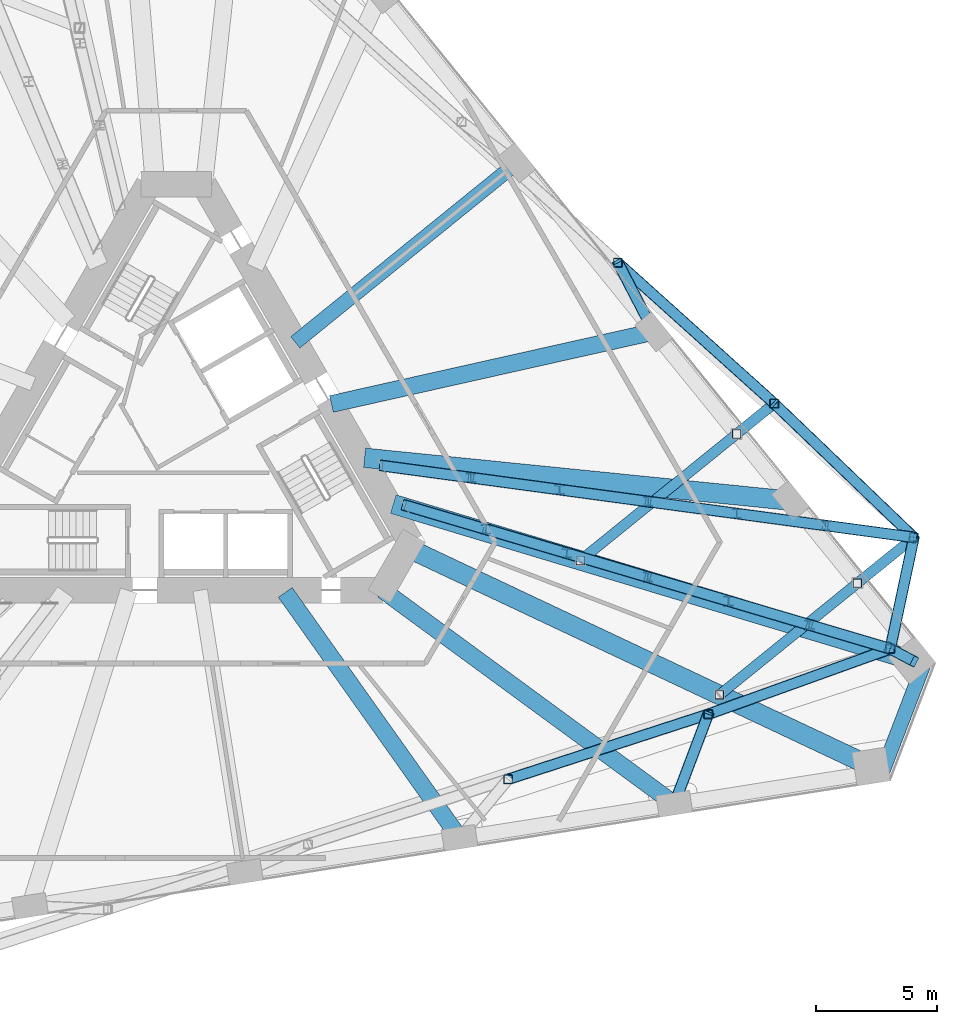
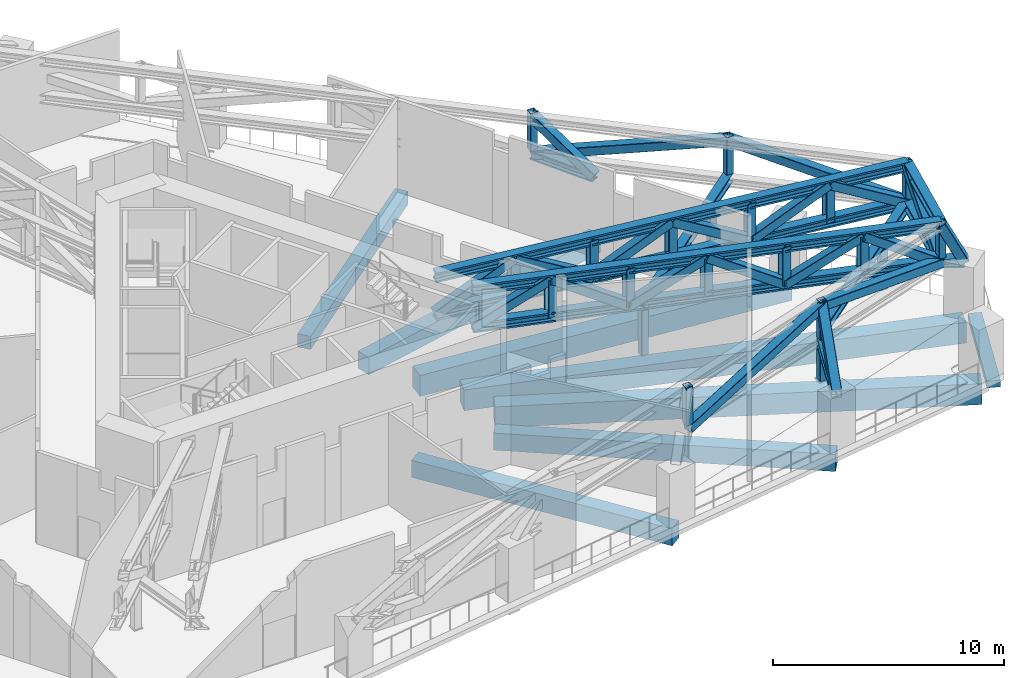
# One storey, part 6 of 20: 51 members, 8 beams.
"""IFC4 building model written with IfcOpenShell, lengths in metres."""

from ifc_helpers import new_model, si_unit, direction, frame, origin, origin_2d, place, context, subcontext, project, spatial, rectangle, hollow_rectangle, i_section, extrude, material, material_profile, profile_set, type_object, element, save


model = new_model("IFC4")

# Units and contexts
model_context = context("Model", 3, precision=1e-05, world=origin(), true_north=direction((0.0, 1.0)))
body_context = subcontext(model_context, "Body", "Model", "MODEL_VIEW")
ifc_project = project(units=[si_unit("LENGTHUNIT", "METRE"), si_unit("AREAUNIT", "SQUARE_METRE"), si_unit("VOLUMEUNIT", "CUBIC_METRE"), si_unit("PLANEANGLEUNIT", "RADIAN"), si_unit("MASSUNIT", "GRAM", prefix="KILO")], contexts=[model_context])

# Site, building, storey
site_placement = place(None, origin())
site = spatial("IfcSite", under=ifc_project, at=site_placement, CompositionType="ELEMENT")
building_placement = place(site_placement, origin())
building = spatial("IfcBuilding", under=site, at=building_placement, Name="Tramontana Tower", CompositionType="ELEMENT")
storey_placement = place(building_placement, frame((0.0, 0.0, 83.199951171875)))
storey = spatial("IfcBuildingStorey", under=building, at=storey_placement, Name="L18", CompositionType="ELEMENT", Elevation=83.199951171875)

# Members
ifc_material_1 = material(Name="Steel ASTM A500 Grade C", Category="steel")
ifc_material_profile_1 = material_profile(ifc_material_1, hollow_rectangle(XDim=0.355712890625, YDim=0.355712890625, WallThickness=0.01171875, InnerFilletRadius=0.01171875, OuterFilletRadius=0.023681640625, at=origin_2d()), Name="HSS14X14X1/2")
ifc_profile_set_1 = profile_set([ifc_material_profile_1], Name="Steel ASTM A500 Grade C")
member_type_1 = type_object("IfcMemberType", Name="Belt truss HSS14X14X1/2 post", PredefinedType="POST", material=ifc_profile_set_1)
for number, where, z_axis, x_axis, name in (
    (1, (13.65966796875, -14.014892578125, 2.86376953125), (0.0, 0.0, 1.0), (1.0, 0.0, 0.0), "Belt truss post C2F09"),
    (2, (21.89599609375, -11.338623046875, 2.86376953125), (0.0, 0.0, 1.0), (1.0, 0.0, 0.0), "Belt truss post C2F10"),
    (3, (29.389404296875, -8.64111328125, 2.86376953125), (0.0, 0.0, 1.0), (1.0, 0.0, 0.0), "Belt truss post C2K4"),
    (4, (30.36328125, -4.059814453125, 2.86376953125), (0.0, 0.0, 1.0), (1.0, 0.0, 0.0), "Belt truss post C2K5"),
    (5, (24.614990234375, 1.452392578125, 2.86376953125), (0.0, 0.0, 1.0), (1.0, 0.0, 0.0), "Belt truss post C2F11"),
    (6, (18.17919921875, 7.247314453125, 2.86376953125), (0.0, 0.0, 1.0), (1.0, 0.0, 0.0), "Belt truss post C2F12"),
):
    element("IfcMember", number, at=place(storey_placement, frame(where, z_axis=z_axis, x_axis=x_axis)), inside=storey, type_object=member_type_1, Name=name, PredefinedType="POST", context=body_context, shape_type="SweptSolid", body=[
        extrude(hollow_rectangle(XDim=0.355712890625, YDim=0.355712890625, WallThickness=0.01171875, InnerFilletRadius=0.01171875, OuterFilletRadius=0.023681640625, at=origin_2d()), origin(), (0.0, 0.0, 1.0), 1.986328125),
    ])
ifc_material_2 = material(Name="Steel ASTM A500 Grade C", Category="steel")
ifc_material_profile_2 = material_profile(ifc_material_2, hollow_rectangle(XDim=0.457275390625, YDim=0.457275390625, WallThickness=0.017822265625, InnerFilletRadius=0.017822265625, OuterFilletRadius=0.035400390625, at=origin_2d()), Name="HSS18X18X3/4")
ifc_profile_set_2 = profile_set([ifc_material_profile_2], Name="Steel ASTM A500 Grade C")
member_type_2 = type_object("IfcMemberType", Name="Belt truss HSS18X18X3/4 brace", PredefinedType="BRACE", material=ifc_profile_set_2)
member_1_placement = place(storey_placement, frame((13.65966796875, -14.014892578125, 2.6318359375), z_axis=(0.926981940368, 0.301208680054, 0.223557181256), x_axis=(-0.309029976608, 0.951052298014, 0.0)))
element("IfcMember", 7, at=member_1_placement, inside=storey, type_object=member_type_2, Name="Belt truss diagonal S1.5", PredefinedType="BRACE", context=body_context, shape_type="SweptSolid", body=[
    extrude(hollow_rectangle(XDim=0.457275390625, YDim=0.457275390625, WallThickness=0.017822265625, InnerFilletRadius=0.017822265625, OuterFilletRadius=0.035400390625, at=origin_2d()), origin(), (0.0, 0.0, 1.0), 8.885009765625),
])
for number, where, z_axis, x_axis, name in (
    (8, (21.89599609375, -11.338623046875, 4.6181640625), (0.91292631054, 0.328639194773, -0.241995518931), (-0.338706442061, 0.940892101203, 0.0), "Belt truss diagonal S1.6"),
    (9, (30.36328125, -4.059814453125, 2.6318359375), (-0.700319997497, 0.671557651454, 0.241996326168), (-0.69212970814, -0.721773141029, 0.0), "Belt truss diagonal S2.1"),
):
    element("IfcMember", number, at=place(storey_placement, frame(where, z_axis=z_axis, x_axis=x_axis)), inside=storey, type_object=member_type_2, Name=name, PredefinedType="BRACE", context=body_context, shape_type="SweptSolid", body=[
        extrude(hollow_rectangle(XDim=0.457275390625, YDim=0.457275390625, WallThickness=0.017822265625, InnerFilletRadius=0.017822265625, OuterFilletRadius=0.035400390625, at=origin_2d()), origin(), (0.0, 0.0, 1.0), 8.2080078125),
    ])
member_2_placement = place(storey_placement, frame((24.614990234375, 1.452392578125, 4.6181640625), z_axis=(-0.724330544345, 0.652202488546, -0.223555756944), x_axis=(-0.669137596533, -0.743138531437, 0.0)))
element("IfcMember", 10, at=member_2_placement, inside=storey, type_object=member_type_2, Name="Belt truss diagonal S2.2", PredefinedType="BRACE", context=body_context, shape_type="SweptSolid", body=[
    extrude(hollow_rectangle(XDim=0.457275390625, YDim=0.457275390625, WallThickness=0.017822265625, InnerFilletRadius=0.017822265625, OuterFilletRadius=0.035400390625, at=origin_2d()), origin(), (0.0, 0.0, 1.0), 8.88525390625),
])
member_3_placement = place(storey_placement, frame((29.389404296875, -8.64111328125, 2.6318359375), z_axis=(0.191427004248, 0.900508331592, 0.390436226263), x_axis=(-0.97814361339, 0.207930448911, 0.0)))
element("IfcMember", 11, at=member_3_placement, inside=storey, type_object=member_type_2, Name="Belt truss diagonal K2.1", PredefinedType="BRACE", context=body_context, shape_type="SweptSolid", body=[
    extrude(hollow_rectangle(XDim=0.457275390625, YDim=0.457275390625, WallThickness=0.017822265625, InnerFilletRadius=0.017822265625, OuterFilletRadius=0.035400390625, at=origin_2d()), origin(), (0.0, 0.0, 1.0), 5.08740234375),
])
ifc_material_3 = material(Name="Steel ASTM A992 Grade 50", Category="steel")
ifc_material_profile_3 = material_profile(ifc_material_3, i_section(OverallWidth=0.42236328125, OverallDepth=0.463623046875, WebThickness=0.04443359375, FlangeThickness=0.072998046875, FilletRadius=0.014892578125, at=origin_2d()), Name="W14X398")
ifc_profile_set_3 = profile_set([ifc_material_profile_3], Name="Steel ASTM A992 Grade 50")
member_type_3 = type_object("IfcMemberType", Name="Belt truss W14X398 chord", PredefinedType="CHORD", material=ifc_profile_set_3)
for number, where, z_axis, x_axis, name in (
    (12, (29.389404296875, -8.64111328125, 2.6318359375), (0.207930448911, 0.97814361339, 0.0), (-0.97814361339, 0.207930448911, 0.0), "Belt truss bottom chord K2"),
    (13, (29.389404296875, -8.64111328125, 4.6181640625), (0.207930448911, 0.97814361339, 0.0), (-0.97814361339, 0.207930448911, 0.0), "Belt truss top chord K2"),
):
    element("IfcMember", number, at=place(storey_placement, frame(where, z_axis=z_axis, x_axis=x_axis)), inside=storey, type_object=member_type_3, Name=name, PredefinedType="CHORD", context=body_context, shape_type="SweptSolid", body=[
        extrude(i_section(OverallWidth=0.42236328125, OverallDepth=0.463623046875, WebThickness=0.04443359375, FlangeThickness=0.072998046875, FilletRadius=0.014892578125, at=origin_2d()), origin(), (0.0, 0.0, 1.0), 4.68359375),
    ])

# Beams
ifc_material_4 = material(Name="Concrete 40 MPa", Category="concrete")
ifc_material_profile_4 = material_profile(ifc_material_4, rectangle(XDim=0.60009765625, YDim=0.35009765625, at=origin_2d()), Name="RC EDGE BEAM 600X350 40 MPa")
ifc_profile_set_4 = profile_set([ifc_material_profile_4], Name="Concrete 40 MPa")
beam_type_1 = type_object("IfcBeamType", Name="RC EDGE BEAM 600X350 40 MPa", PredefinedType="SPANDREL", material=ifc_profile_set_4)
beam_1_placement = place(storey_placement, frame((28.990234375, -13.9111328125, -0.52490234375), z_axis=(0.358368174287, 0.933580340227, 0.0), x_axis=(-0.933580340227, 0.358368174287, 0.0)))
element("IfcBeam", 14, at=beam_1_placement, inside=storey, type_object=beam_type_1, Name="Spandrel beam K2 L18", PredefinedType="SPANDREL", context=body_context, shape_type="SweptSolid", body=[
    extrude(rectangle(XDim=0.60009765625, YDim=0.35009765625, at=origin_2d()), origin(), (0.0, 0.0, 1.0), 5.196044921875),
])
ifc_material_5 = material(Name="Concrete 40 MPa", Category="concrete")
ifc_material_profile_5 = material_profile(ifc_material_5, rectangle(XDim=0.60009765625, YDim=0.699951171875, at=origin_2d()), Name="RC GIRDER 600X700 40 MPa")
ifc_profile_set_5 = profile_set([ifc_material_profile_5], Name="Concrete 40 MPa")
beam_type_2 = type_object("IfcBeamType", Name="RC GIRDER 600X700 40 MPa", PredefinedType="BEAM", material=ifc_profile_set_5)
beam_2_placement = place(storey_placement, frame((14.027587890625, 11.359130859375, -0.699951171875), z_axis=(-0.777154793409, -0.62930948434, 0.0), x_axis=(0.62930948434, -0.777154793409, 0.0)))
element("IfcBeam", 15, at=beam_2_placement, inside=storey, type_object=beam_type_2, Name="Radial girder C1F13 L18", PredefinedType="BEAM", context=body_context, shape_type="SweptSolid", body=[
    extrude(rectangle(XDim=0.60009765625, YDim=0.699951171875, at=origin_2d()), origin(), (0.0, 0.0, 1.0), 11.740966796875),
])
ifc_material_6 = material(Name="Concrete 40 MPa", Category="concrete")
ifc_material_profile_6 = material_profile(ifc_material_6, rectangle(XDim=0.699951171875, YDim=0.89990234375, at=origin_2d()), Name="RC GIRDER 700X900 40 MPa")
ifc_profile_set_6 = profile_set([ifc_material_profile_6], Name="Concrete 40 MPa")
beam_type_3 = type_object("IfcBeamType", Name="RC GIRDER 700X900 40 MPa", PredefinedType="BEAM", material=ifc_profile_set_6)
beam_3_placement = place(storey_placement, frame((11.662353515625, -16.427978515625, -0.800048828125), z_axis=(-0.578872935906, 0.815417760461, 0.0), x_axis=(-0.815417760461, -0.578872935906, 0.0)))
element("IfcBeam", 16, at=beam_3_placement, inside=storey, type_object=beam_type_3, Name="Radial girder C1F09 L18", PredefinedType="BEAM", context=body_context, shape_type="SweptSolid", body=[
    extrude(rectangle(XDim=0.699951171875, YDim=0.89990234375, at=origin_2d()), origin(), (0.0, 0.0, 1.0), 12.3935546875),
])
beam_4_placement = place(storey_placement, frame((20.501220703125, -15.02783203125, -0.800048828125), z_axis=(-0.806528613825, 0.591195056712, 0.0), x_axis=(-0.591195056712, -0.806528613825, 0.0)))
element("IfcBeam", 17, at=beam_4_placement, inside=storey, type_object=beam_type_3, Name="Radial girder C1F10 L18", PredefinedType="BEAM", context=body_context, shape_type="SweptSolid", body=[
    extrude(rectangle(XDim=0.699951171875, YDim=0.89990234375, at=origin_2d()), origin(), (0.0, 0.0, 1.0), 14.878662109375),
])
beam_5_placement = place(storey_placement, frame((19.6591796875, 4.404541015625, -0.800048828125), z_axis=(-0.975807938002, -0.218629522556, 0.0), x_axis=(0.218629522556, -0.975807938002, 0.0)))
element("IfcBeam", 18, at=beam_5_placement, inside=storey, type_object=beam_type_3, Name="Radial girder C1F12 L18", PredefinedType="BEAM", context=body_context, shape_type="SweptSolid", body=[
    extrude(rectangle(XDim=0.699951171875, YDim=0.89990234375, at=origin_2d()), origin(), (0.0, 0.0, 1.0), 13.59912109375),
])
ifc_material_7 = material(Name="Concrete 40 MPa", Category="concrete")
ifc_material_profile_7 = material_profile(ifc_material_7, rectangle(XDim=0.800048828125, YDim=1.10009765625, at=origin_2d()), Name="RC GIRDER 800X1100 40 MPa")
ifc_profile_set_7 = profile_set([ifc_material_profile_7], Name="Concrete 40 MPa")
beam_type_4 = type_object("IfcBeamType", Name="RC GIRDER 800X1100 40 MPa", PredefinedType="BEAM", material=ifc_profile_set_7)
beam_6_placement = place(storey_placement, frame((28.609375, -13.490478515625, -0.89990234375), z_axis=(-0.904488564757, 0.426497873645, 0.0), x_axis=(-0.426497873645, -0.904488564757, 0.0)))
element("IfcBeam", 19, at=beam_6_placement, inside=storey, type_object=beam_type_4, Name="Radial girder C1K4 L18", PredefinedType="BEAM", context=body_context, shape_type="SweptSolid", body=[
    extrude(rectangle(XDim=0.800048828125, YDim=1.10009765625, at=origin_2d()), origin(), (0.0, 0.0, 1.0), 21.11767578125),
])
beam_7_placement = place(storey_placement, frame((30.287841796875, -9.117919921875, -0.89990234375), z_axis=(-0.957551991149, 0.288260618619, 0.0), x_axis=(-0.288260618619, -0.957551991149, 0.0)))
element("IfcBeam", 20, at=beam_7_placement, inside=storey, type_object=beam_type_4, Name="Radial girder C1K5 L18", PredefinedType="BEAM", context=body_context, shape_type="SweptSolid", body=[
    extrude(rectangle(XDim=0.800048828125, YDim=1.10009765625, at=origin_2d()), origin(), (0.0, 0.0, 1.0), 22.303466796875),
])
beam_8_placement = place(storey_placement, frame((25.291015625, -2.550048828125, -0.89990234375), z_axis=(-0.99495498196, 0.100322399654, 0.0), x_axis=(-0.100322399654, -0.99495498196, 0.0)))
element("IfcBeam", 21, at=beam_8_placement, inside=storey, type_object=beam_type_4, Name="Radial girder C1F11 L18", PredefinedType="BEAM", context=body_context, shape_type="SweptSolid", body=[
    extrude(rectangle(XDim=0.800048828125, YDim=1.10009765625, at=origin_2d()), origin(), (0.0, 0.0, 1.0), 17.626220703125),
])

# Members
ifc_material_8 = material(Name="Steel ASTM A500 Grade C", Category="steel")
ifc_material_profile_8 = material_profile(ifc_material_8, hollow_rectangle(XDim=0.355712890625, YDim=0.355712890625, WallThickness=0.01171875, InnerFilletRadius=0.01171875, OuterFilletRadius=0.023681640625, at=origin_2d()), Name="HSS14X14X1/2")
ifc_profile_set_8 = profile_set([ifc_material_profile_8], Name="Steel ASTM A500 Grade C")
member_type_4 = type_object("IfcMemberType", Name="Transfer truss HSS14X14X1/2 post", PredefinedType="POST", material=ifc_profile_set_8)
for number, where, z_axis, x_axis, name in (
    (22, (23.065673828125, 0.197998046875, 0.0400390625), (0.0, 0.0, 1.0), (1.0, 0.0, 0.0), "Transfer truss post C2F11.1"),
    (23, (16.636474609375, -5.00830078125, 0.0400390625), (0.0, 0.0, 1.0), (1.0, 0.0, 0.0), "Transfer truss post C2F11.2"),
    (24, (28.0380859375, -5.9423828125, 0.0400390625), (0.0, 0.0, 1.0), (1.0, 0.0, 0.0), "Transfer truss post C2K5.1"),
    (25, (22.357666015625, -10.54248046875, 0.0400390625), (0.0, 0.0, 1.0), (1.0, 0.0, 0.0), "Transfer truss post C2K5.2"),
):
    element("IfcMember", number, at=place(storey_placement, frame(where, z_axis=z_axis, x_axis=x_axis)), inside=storey, type_object=member_type_4, Name=name, PredefinedType="POST", context=body_context, shape_type="SweptSolid", body=[
        extrude(hollow_rectangle(XDim=0.355712890625, YDim=0.355712890625, WallThickness=0.01171875, InnerFilletRadius=0.01171875, OuterFilletRadius=0.023681640625, at=origin_2d()), origin(), (0.0, 0.0, 1.0), 2.360107421875),
    ])
ifc_material_9 = material(Name="Steel ASTM A500 Grade C", Category="steel")
ifc_material_profile_9 = material_profile(ifc_material_9, hollow_rectangle(XDim=0.457275390625, YDim=0.457275390625, WallThickness=0.017822265625, InnerFilletRadius=0.017822265625, OuterFilletRadius=0.035400390625, at=origin_2d()), Name="HSS18X18X3/4")
ifc_profile_set_9 = profile_set([ifc_material_profile_9], Name="Steel ASTM A500 Grade C")
member_type_5 = type_object("IfcMemberType", Name="Transfer truss HSS18X18X3/4 brace", PredefinedType="BRACE", material=ifc_profile_set_9)
member_4_placement = place(storey_placement, frame((20.501220703125, -15.02783203125, 2.6318359375), z_axis=(0.315845028294, 0.835416457649, 0.44980135659), x_axis=(-0.935382021005, 0.353638904507, 0.0)))
element("IfcMember", 26, at=member_4_placement, inside=storey, type_object=member_type_5, Name="Transfer truss strut C2F10 diagonal", PredefinedType="BRACE", context=body_context, shape_type="SweptSolid", body=[
    extrude(hollow_rectangle(XDim=0.457275390625, YDim=0.457275390625, WallThickness=0.017822265625, InnerFilletRadius=0.017822265625, OuterFilletRadius=0.035400390625, at=origin_2d()), origin(), (0.0, 0.0, 1.0), 4.416015625),
])
member_5_placement = place(storey_placement, frame((19.6591796875, 4.404541015625, 2.6318359375), z_axis=(-0.392508359461, 0.753937205142, 0.526797758591), x_axis=(-0.886994694065, -0.46177961486, 0.0)))
element("IfcMember", 27, at=member_5_placement, inside=storey, type_object=member_type_5, Name="Transfer truss strut C2F12 diagonal", PredefinedType="BRACE", context=body_context, shape_type="SweptSolid", body=[
    extrude(hollow_rectangle(XDim=0.457275390625, YDim=0.457275390625, WallThickness=0.017822265625, InnerFilletRadius=0.017822265625, OuterFilletRadius=0.035400390625, at=origin_2d()), origin(), (0.0, 0.0, 1.0), 3.7705078125),
])
member_6_placement = place(storey_placement, frame((30.287841796875, -9.117919921875, 2.6318359375), z_axis=(-0.402598098796, 0.213661436671, 0.890091883642), x_axis=(-0.468780786433, -0.883314538696, 0.0)))
element("IfcMember", 28, at=member_6_placement, inside=storey, type_object=member_type_5, Name="Transfer truss strut C2K4 diagonal", PredefinedType="BRACE", context=body_context, shape_type="SweptSolid", body=[
    extrude(hollow_rectangle(XDim=0.457275390625, YDim=0.457275390625, WallThickness=0.017822265625, InnerFilletRadius=0.017822265625, OuterFilletRadius=0.035400390625, at=origin_2d()), origin(), (0.0, 0.0, 1.0), 2.231689453125),
])
member_7_placement = place(storey_placement, frame((9.422607421875, -2.740234375, 2.6318359375), z_axis=(0.832280198251, -0.245959254479, 0.496803499117), x_axis=(0.283407909686, 0.958999456062, 0.0)))
element("IfcMember", 29, at=member_7_placement, inside=storey, type_object=member_type_5, Name="Transfer truss diagonal 3.1", PredefinedType="BRACE", context=body_context, shape_type="SweptSolid", body=[
    extrude(hollow_rectangle(XDim=0.457275390625, YDim=0.457275390625, WallThickness=0.017822265625, InnerFilletRadius=0.017822265625, OuterFilletRadius=0.035400390625, at=origin_2d()), origin(), (0.0, 0.0, 1.0), 3.998291015625),
])
for number, where, z_axis, x_axis, name in (
    (30, (12.750244140625, -3.7236328125, 4.6181640625), (0.832286461701, -0.246004119595, -0.496770791021), (0.283453490708, 0.958985984572, 0.0), "Transfer truss diagonal 3.2"),
    (31, (16.078125, -4.707275390625, 2.6318359375), (0.83229896188, -0.245946755077, 0.496778252062), (0.28338878806, 0.959005106765, 0.0), "Transfer truss diagonal 3.3"),
    (32, (19.406005859375, -5.690673828125, 4.6181640625), (0.83229896188, -0.245946755077, -0.496778252062), (0.28338878806, 0.959005106765, 0.0), "Transfer truss diagonal 3.4"),
):
    element("IfcMember", number, at=place(storey_placement, frame(where, z_axis=z_axis, x_axis=x_axis)), inside=storey, type_object=member_type_5, Name=name, PredefinedType="BRACE", context=body_context, shape_type="SweptSolid", body=[
        extrude(hollow_rectangle(XDim=0.457275390625, YDim=0.457275390625, WallThickness=0.017822265625, InnerFilletRadius=0.017822265625, OuterFilletRadius=0.035400390625, at=origin_2d()), origin(), (0.0, 0.0, 1.0), 3.99853515625),
    ])
member_8_placement = place(storey_placement, frame((22.73388671875, -6.674072265625, 2.6318359375), z_axis=(0.832267697084, -0.246016621537, 0.496796036939), x_axis=(0.283472615937, 0.958980331401, 0.0)))
element("IfcMember", 33, at=member_8_placement, inside=storey, type_object=member_type_5, Name="Transfer truss diagonal 3.5", PredefinedType="BRACE", context=body_context, shape_type="SweptSolid", body=[
    extrude(hollow_rectangle(XDim=0.457275390625, YDim=0.457275390625, WallThickness=0.017822265625, InnerFilletRadius=0.017822265625, OuterFilletRadius=0.035400390625, at=origin_2d()), origin(), (0.0, 0.0, 1.0), 3.998291015625),
])
member_9_placement = place(storey_placement, frame((26.0615234375, -7.65771484375, 4.6181640625), z_axis=(0.83229896188, -0.245946755077, -0.496778252062), x_axis=(0.28338878806, 0.959005106765, 0.0)))
element("IfcMember", 34, at=member_9_placement, inside=storey, type_object=member_type_5, Name="Transfer truss diagonal 3.6", PredefinedType="BRACE", context=body_context, shape_type="SweptSolid", body=[
    extrude(hollow_rectangle(XDim=0.457275390625, YDim=0.457275390625, WallThickness=0.017822265625, InnerFilletRadius=0.017822265625, OuterFilletRadius=0.035400390625, at=origin_2d()), origin(), (0.0, 0.0, 1.0), 3.99853515625),
])
for number, where, z_axis, x_axis, name in (
    (35, (8.48095703125, -1.109375, 2.6318359375), (0.872100316953, -0.117579999889, 0.474990506007), (0.133615014908, 0.991033313159, 0.0), "Transfer truss diagonal 4.1"),
    (36, (12.1279296875, -1.60107421875, 4.6181640625), (0.872100316953, -0.117579999889, -0.474990506007), (0.133615014908, 0.991033313159, 0.0), "Transfer truss diagonal 4.2"),
):
    element("IfcMember", number, at=place(storey_placement, frame(where, z_axis=z_axis, x_axis=x_axis)), inside=storey, type_object=member_type_5, Name=name, PredefinedType="BRACE", context=body_context, shape_type="SweptSolid", body=[
        extrude(hollow_rectangle(XDim=0.457275390625, YDim=0.457275390625, WallThickness=0.017822265625, InnerFilletRadius=0.017822265625, OuterFilletRadius=0.035400390625, at=origin_2d()), origin(), (0.0, 0.0, 1.0), 4.181884765625),
    ])
member_10_placement = place(storey_placement, frame((15.77490234375, -2.0927734375, 2.6318359375), z_axis=(0.872114294772, -0.117574013633, 0.474966323199), x_axis=(0.13360623053, 0.991034497464, 0.0)))
element("IfcMember", 37, at=member_10_placement, inside=storey, type_object=member_type_5, Name="Transfer truss diagonal 4.3", PredefinedType="BRACE", context=body_context, shape_type="SweptSolid", body=[
    extrude(hollow_rectangle(XDim=0.457275390625, YDim=0.457275390625, WallThickness=0.017822265625, InnerFilletRadius=0.017822265625, OuterFilletRadius=0.035400390625, at=origin_2d()), origin(), (0.0, 0.0, 1.0), 4.18212890625),
])
member_11_placement = place(storey_placement, frame((19.422119140625, -2.58447265625, 4.6181640625), z_axis=(0.872094329016, -0.117637573502, -0.47498724467), x_axis=(0.133680172726, 0.991024526145, 0.0)))
element("IfcMember", 38, at=member_11_placement, inside=storey, type_object=member_type_5, Name="Transfer truss diagonal 4.4", PredefinedType="BRACE", context=body_context, shape_type="SweptSolid", body=[
    extrude(hollow_rectangle(XDim=0.457275390625, YDim=0.457275390625, WallThickness=0.017822265625, InnerFilletRadius=0.017822265625, OuterFilletRadius=0.035400390625, at=origin_2d()), origin(), (0.0, 0.0, 1.0), 4.181884765625),
])
member_12_placement = place(storey_placement, frame((23.069091796875, -3.076416015625, 2.6318359375), z_axis=(0.872114294772, -0.117574013633, 0.474966323199), x_axis=(0.13360623053, 0.991034497464, 0.0)))
element("IfcMember", 39, at=member_12_placement, inside=storey, type_object=member_type_5, Name="Transfer truss diagonal 4.5", PredefinedType="BRACE", context=body_context, shape_type="SweptSolid", body=[
    extrude(hollow_rectangle(XDim=0.457275390625, YDim=0.457275390625, WallThickness=0.017822265625, InnerFilletRadius=0.017822265625, OuterFilletRadius=0.035400390625, at=origin_2d()), origin(), (0.0, 0.0, 1.0), 4.18212890625),
])
member_13_placement = place(storey_placement, frame((26.71630859375, -3.568115234375, 4.6181640625), z_axis=(0.872100316953, -0.117579999889, -0.474990506007), x_axis=(0.133615014908, 0.991033313159, 0.0)))
element("IfcMember", 40, at=member_13_placement, inside=storey, type_object=member_type_5, Name="Transfer truss diagonal 4.6", PredefinedType="BRACE", context=body_context, shape_type="SweptSolid", body=[
    extrude(hollow_rectangle(XDim=0.457275390625, YDim=0.457275390625, WallThickness=0.017822265625, InnerFilletRadius=0.017822265625, OuterFilletRadius=0.035400390625, at=origin_2d()), origin(), (0.0, 0.0, 1.0), 4.181884765625),
])
ifc_material_10 = material(Name="Steel ASTM A992 Grade 50", Category="steel")
ifc_material_profile_10 = material_profile(ifc_material_10, i_section(OverallWidth=0.4033203125, OverallDepth=0.406494140625, WebThickness=0.027099609375, FlangeThickness=0.04443359375, FilletRadius=0.01513671875, at=origin_2d()), Name="W14X233")
ifc_profile_set_10 = profile_set([ifc_material_profile_10], Name="Steel ASTM A992 Grade 50")
member_type_6 = type_object("IfcMemberType", Name="Transfer truss W14X233 post", PredefinedType="POST", material=ifc_profile_set_10)
for number, where, z_axis, x_axis, name in (
    (41, (12.750244140625, -3.7236328125, 2.6318359375), (0.0, 0.0, 1.0), (1.0, 0.0, 0.0), "Transfer truss post 3.1"),
    (42, (16.078125, -4.707275390625, 2.6318359375), (0.0, 0.0, 1.0), (1.0, 0.0, 0.0), "Transfer truss post 3.2"),
    (43, (19.406005859375, -5.690673828125, 2.6318359375), (0.0, 0.0, 1.0), (1.0, 0.0, 0.0), "Transfer truss post 3.3"),
    (44, (22.73388671875, -6.674072265625, 2.6318359375), (0.0, 0.0, 1.0), (1.0, 0.0, 0.0), "Transfer truss post 3.4"),
    (45, (26.0615234375, -7.65771484375, 2.6318359375), (0.0, 0.0, 1.0), (1.0, 0.0, 0.0), "Transfer truss post 3.5"),
    (46, (12.1279296875, -1.60107421875, 2.6318359375), (0.0, 0.0, 1.0), (1.0, 0.0, 0.0), "Transfer truss post 4.1"),
    (47, (15.77490234375, -2.0927734375, 2.6318359375), (0.0, 0.0, 1.0), (1.0, 0.0, 0.0), "Transfer truss post 4.2"),
    (48, (19.422119140625, -2.58447265625, 2.6318359375), (0.0, 0.0, 1.0), (1.0, 0.0, 0.0), "Transfer truss post 4.3"),
    (49, (23.069091796875, -3.076416015625, 2.6318359375), (0.0, 0.0, 1.0), (1.0, 0.0, 0.0), "Transfer truss post 4.4"),
    (50, (26.71630859375, -3.568115234375, 2.6318359375), (0.0, 0.0, 1.0), (1.0, 0.0, 0.0), "Transfer truss post 4.5"),
):
    element("IfcMember", number, at=place(storey_placement, frame(where, z_axis=z_axis, x_axis=x_axis)), inside=storey, type_object=member_type_6, Name=name, PredefinedType="POST", context=body_context, shape_type="SweptSolid", body=[
        extrude(i_section(OverallWidth=0.4033203125, OverallDepth=0.406494140625, WebThickness=0.027099609375, FlangeThickness=0.04443359375, FilletRadius=0.01513671875, at=origin_2d()), origin(), (0.0, 0.0, 1.0), 1.986328125),
    ])
ifc_material_11 = material(Name="Steel ASTM A992 Grade 50", Category="steel")
ifc_material_profile_11 = material_profile(ifc_material_11, i_section(OverallWidth=0.42236328125, OverallDepth=0.463623046875, WebThickness=0.04443359375, FlangeThickness=0.072998046875, FilletRadius=0.014892578125, at=origin_2d()), Name="W14X398")
ifc_profile_set_11 = profile_set([ifc_material_profile_11], Name="Steel ASTM A992 Grade 50")
member_type_7 = type_object("IfcMemberType", Name="Transfer truss W14X398 chord", PredefinedType="CHORD", material=ifc_profile_set_11)
member_14_placement = place(storey_placement, frame((24.614990234375, 1.452392578125, 2.6318359375), z_axis=(-0.777154593624, -0.629309731061, 0.0), x_axis=(0.629309731061, -0.777154593624, 0.0)))
element("IfcMember", 51, at=member_14_placement, inside=storey, type_object=member_type_7, Name="Transfer truss girder C2F11", PredefinedType="CHORD", context=body_context, shape_type="SweptSolid", body=[
    extrude(i_section(OverallWidth=0.42236328125, OverallDepth=0.463623046875, WebThickness=0.04443359375, FlangeThickness=0.072998046875, FilletRadius=0.014892578125, at=origin_2d()), origin(), (0.0, 0.0, 1.0), 10.266357421875),
])
member_15_placement = place(storey_placement, frame((30.36328125, -4.059814453125, 2.6318359375), z_axis=(-0.77715324334, -0.629311398567, 0.0), x_axis=(0.629311398567, -0.77715324334, 0.0)))
element("IfcMember", 52, at=member_15_placement, inside=storey, type_object=member_type_7, Name="Transfer truss girder C2K5", PredefinedType="CHORD", context=body_context, shape_type="SweptSolid", body=[
    extrude(i_section(OverallWidth=0.42236328125, OverallDepth=0.463623046875, WebThickness=0.04443359375, FlangeThickness=0.072998046875, FilletRadius=0.014892578125, at=origin_2d()), origin(), (0.0, 0.0, 1.0), 10.30126953125),
])
ifc_material_12 = material(Name="Steel ASTM A992 Grade 50", Category="steel")
ifc_material_profile_12 = material_profile(ifc_material_12, i_section(OverallWidth=0.42236328125, OverallDepth=0.463623046875, WebThickness=0.04443359375, FlangeThickness=0.072998046875, FilletRadius=0.014892578125, at=origin_2d()), Name="W14X398")
ifc_profile_set_12 = profile_set([ifc_material_profile_12], Name="Steel ASTM A992 Grade 50")
member_type_8 = type_object("IfcMemberType", Name="Transfer truss W14X398 strut", PredefinedType="STRUT", material=ifc_profile_set_12)
member_16_placement = place(storey_placement, frame((20.501220703125, -15.02783203125, 2.6318359375), z_axis=(0.353638904507, 0.935382021005, 0.0), x_axis=(-0.935382021005, 0.353638904507, 0.0)))
element("IfcMember", 53, at=member_16_placement, inside=storey, type_object=member_type_8, Name="Transfer truss strut C2F10 bottom", PredefinedType="STRUT", context=body_context, shape_type="SweptSolid", body=[
    extrude(i_section(OverallWidth=0.42236328125, OverallDepth=0.463623046875, WebThickness=0.04443359375, FlangeThickness=0.072998046875, FilletRadius=0.014892578125, at=origin_2d()), origin(), (0.0, 0.0, 1.0), 3.944091796875),
])
member_17_placement = place(storey_placement, frame((19.6591796875, 4.404541015625, 2.6318359375), z_axis=(-0.46177961486, 0.886994694065, 0.0), x_axis=(-0.886994694065, -0.46177961486, 0.0)))
element("IfcMember", 54, at=member_17_placement, inside=storey, type_object=member_type_8, Name="Transfer truss strut C2F12 bottom", PredefinedType="STRUT", context=body_context, shape_type="SweptSolid", body=[
    extrude(i_section(OverallWidth=0.42236328125, OverallDepth=0.463623046875, WebThickness=0.04443359375, FlangeThickness=0.072998046875, FilletRadius=0.014892578125, at=origin_2d()), origin(), (0.0, 0.0, 1.0), 3.204833984375),
])
member_18_placement = place(storey_placement, frame((30.287841796875, -9.117919921875, 2.6318359375), z_axis=(-0.883314538696, 0.468780786433, 0.0), x_axis=(-0.468780786433, -0.883314538696, 0.0)))
element("IfcMember", 55, at=member_18_placement, inside=storey, type_object=member_type_8, Name="Transfer truss strut C2K4 bottom", PredefinedType="STRUT", context=body_context, shape_type="SweptSolid", body=[
    extrude(i_section(OverallWidth=0.42236328125, OverallDepth=0.463623046875, WebThickness=0.04443359375, FlangeThickness=0.072998046875, FilletRadius=0.014892578125, at=origin_2d()), origin(), (0.0, 0.0, 1.0), 1.01708984375),
])
ifc_material_13 = material(Name="Steel ASTM A992 Grade 50", Category="steel")
ifc_material_profile_13 = material_profile(ifc_material_13, i_section(OverallWidth=0.431884765625, OverallDepth=0.49853515625, WebThickness=0.0556640625, FlangeThickness=0.0888671875, FilletRadius=0.01513671875, at=origin_2d()), Name="W14X500")
ifc_profile_set_13 = profile_set([ifc_material_profile_13], Name="Steel ASTM A992 Grade 50")
member_type_9 = type_object("IfcMemberType", Name="Transfer truss W14X500 chord", PredefinedType="CHORD", material=ifc_profile_set_13)
for number, where, z_axis, x_axis, name in (
    (56, (9.422607421875, -2.740234375, 2.6318359375), (0.958996849386, -0.283416730041, 0.0), (0.283416730041, 0.958996849386, 0.0), "Transfer truss bottom chord 3"),
    (57, (9.422607421875, -2.740234375, 4.6181640625), (0.958996849386, -0.283416730041, 0.0), (0.283416730041, 0.958996849386, 0.0), "Transfer truss top chord 3"),
):
    element("IfcMember", number, at=place(storey_placement, frame(where, z_axis=z_axis, x_axis=x_axis)), inside=storey, type_object=member_type_9, Name=name, PredefinedType="CHORD", context=body_context, shape_type="SweptSolid", body=[
        extrude(i_section(OverallWidth=0.431884765625, OverallDepth=0.49853515625, WebThickness=0.0556640625, FlangeThickness=0.0888671875, FilletRadius=0.01513671875, at=origin_2d()), origin(), (0.0, 0.0, 1.0), 20.820556640625),
    ])
for number, where, z_axis, x_axis, name in (
    (58, (8.48095703125, -1.109375, 2.6318359375), (0.991032243801, -0.133622946182, 0.0), (0.133622946182, 0.991032243801, 0.0), "Transfer truss bottom chord 4"),
    (59, (8.48095703125, -1.109375, 4.6181640625), (0.991032243801, -0.133622946182, 0.0), (0.133622946182, 0.991032243801, 0.0), "Transfer truss top chord 4"),
):
    element("IfcMember", number, at=place(storey_placement, frame(where, z_axis=z_axis, x_axis=x_axis)), inside=storey, type_object=member_type_9, Name=name, PredefinedType="CHORD", context=body_context, shape_type="SweptSolid", body=[
        extrude(i_section(OverallWidth=0.431884765625, OverallDepth=0.49853515625, WebThickness=0.0556640625, FlangeThickness=0.0888671875, FilletRadius=0.01513671875, at=origin_2d()), origin(), (0.0, 0.0, 1.0), 22.080322265625),
    ])

save(model, "model.ifc")
